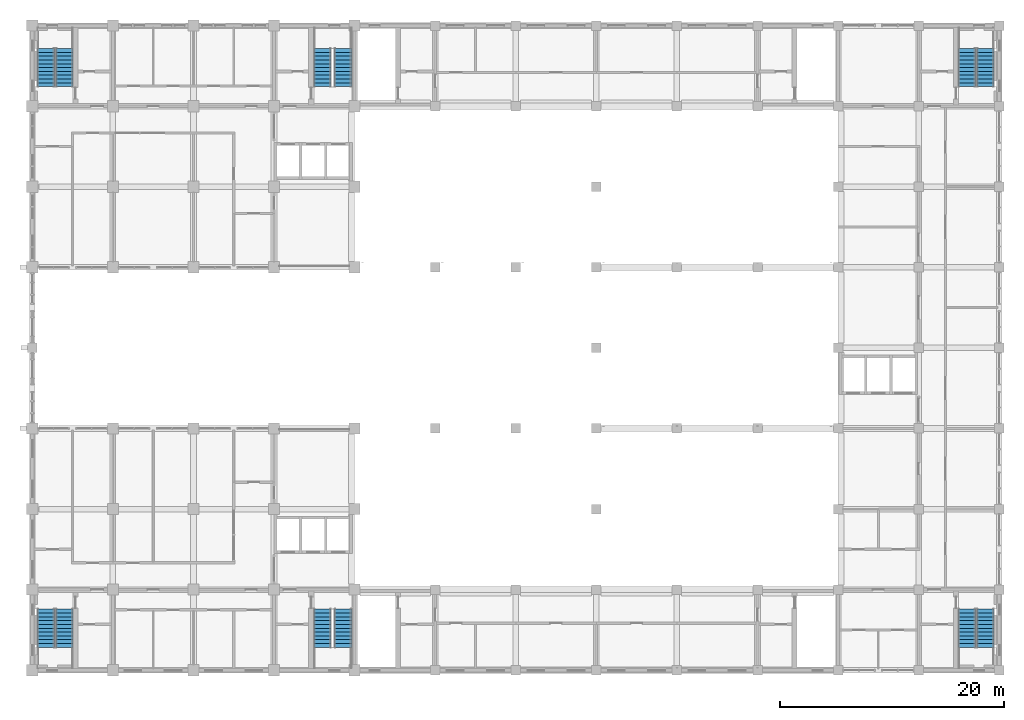
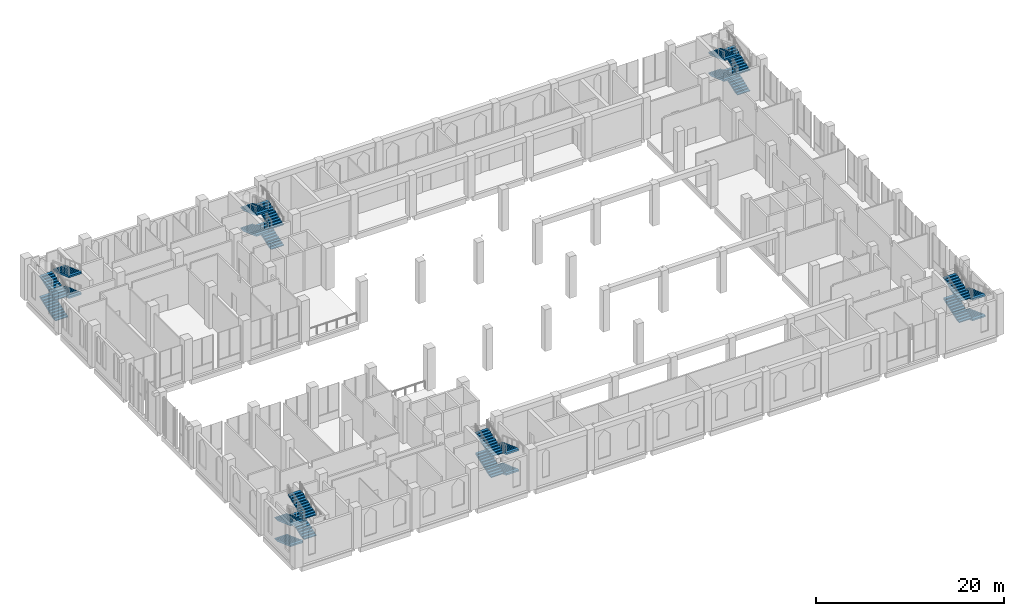
# One storey, part 36 of 48: 24 stair flights, 6 elements without a shape of their own.
"""IFC4 building model written with IfcOpenShell, lengths in metres."""

from ifc_helpers import new_model, si_unit, direction, frame, origin, place, context, subcontext, project, spatial, polyline, outline, extrude, material, type_object, element, aggregate, save


model = new_model("IFC4")

# Units and contexts
model_context = context("Model", 3, precision=1e-05, world=origin(), true_north=direction((0.0, 1.0)))
body_context = subcontext(model_context, "Body", "Model", "MODEL_VIEW")
ifc_project = project(units=[si_unit("LENGTHUNIT", "METRE"), si_unit("AREAUNIT", "SQUARE_METRE"), si_unit("VOLUMEUNIT", "CUBIC_METRE"), si_unit("PLANEANGLEUNIT", "RADIAN"), si_unit("MASSUNIT", "GRAM", prefix="KILO")], contexts=[model_context])

# Site, building, storey
site_placement = place(None, origin())
site = spatial("IfcSite", under=ifc_project, at=site_placement, CompositionType="ELEMENT")
building_placement = place(site_placement, origin())
building = spatial("IfcBuilding", under=site, at=building_placement, Name="Silangan Lancet Faculty of Sciences", CompositionType="ELEMENT")
storey_placement = place(building_placement, frame((0.0, 0.0, 6.0)))
storey = spatial("IfcBuildingStorey", under=building, at=storey_placement, Name="L01", CompositionType="ELEMENT", Elevation=6.0)

# Stair, stair flights
ifc_material_1 = material(Name="Concrete C40/50", Category="concrete")
stair_type = type_object("IfcStairType", Name="TURRET STAIR 1550 FOUR-FLIGHT", PredefinedType="DOUBLE_RETURN_STAIR", material=ifc_material_1)
stair_1_placement = place(storey_placement, origin())
stair_1 = element("IfcStair", 1, at=stair_1_placement, inside=storey, type_object=stair_type, Name="EB-A stair L01", PredefinedType="DOUBLE_RETURN_STAIR")
ifc_material_2 = material(Name="Concrete C40/50", Category="concrete")
stair_flight_type = type_object("IfcStairFlightType", Name="TURRET STAIR FLIGHT 1550", PredefinedType="STRAIGHT", material=ifc_material_2)
stair_flight_1_placement = place(storey_placement, frame((85.175048828125, 5.449951171875, 0.0), z_axis=(0.0, 0.0, 1.0), x_axis=(0.0, -1.0, 0.0)))
stair_flight_1 = element("IfcStairFlight", 2, at=stair_flight_1_placement, type_object=stair_flight_type, Name="STR9 flight 1", NumberOfRisers=11, NumberOfTreads=10, PredefinedType="STRAIGHT", RiserHeight=0.122727273, TreadLength=0.34, context=body_context, shape_type="SweptSolid", body=[
    extrude(outline(polyline([(0.0, 0.0), (0.0, 0.122802734375), (0.340087890625, 0.122802734375), (0.340087890625, 0.245361328125), (0.679931640625, 0.245361328125), (0.679931640625, 0.3681640625), (1.02001953125, 0.3681640625), (1.02001953125, 0.490966796875), (1.360107421875, 0.490966796875), (1.360107421875, 0.613525390625), (1.699951171875, 0.613525390625), (1.699951171875, 0.736328125), (2.0400390625, 0.736328125), (2.0400390625, 0.859130859375), (2.3798828125, 0.859130859375), (2.3798828125, 0.98193359375), (2.719970703125, 0.98193359375), (2.719970703125, 1.1044921875), (3.06005859375, 1.1044921875), (3.06005859375, 1.227294921875), (3.39990234375, 1.227294921875), (3.39990234375, 1.35009765625), (3.39990234375, 1.0146484375), (0.5888671875, 0.0), (0.0, 0.0)])), frame((0.0, 0.77490234375, 0.0), z_axis=(0.0, -1.0, 0.0), x_axis=(1.0, 0.0, 0.0)), (0.0, 0.0, 1.0), 1.550048828125),
])
stair_flight_2_placement = place(storey_placement, frame((83.52490234375, 2.050048828125, 1.35009765625), z_axis=(0.0, 0.0, 1.0), x_axis=(0.0, 1.0, 0.0)))
stair_flight_2 = element("IfcStairFlight", 3, at=stair_flight_2_placement, type_object=stair_flight_type, Name="STR9 flight 2", NumberOfRisers=11, NumberOfTreads=10, PredefinedType="STRAIGHT", RiserHeight=0.122727273, TreadLength=0.34, context=body_context, shape_type="SweptSolid", body=[
    extrude(outline(polyline([(0.0, 0.0), (0.0, 0.122802734375), (0.340087890625, 0.122802734375), (0.340087890625, 0.245361328125), (0.679931640625, 0.245361328125), (0.679931640625, 0.3681640625), (1.02001953125, 0.3681640625), (1.02001953125, 0.490966796875), (1.360107421875, 0.490966796875), (1.360107421875, 0.613525390625), (1.699951171875, 0.613525390625), (1.699951171875, 0.736328125), (2.0400390625, 0.736328125), (2.0400390625, 0.859130859375), (2.3798828125, 0.859130859375), (2.3798828125, 0.98193359375), (2.719970703125, 0.98193359375), (2.719970703125, 1.1044921875), (3.06005859375, 1.1044921875), (3.06005859375, 1.227294921875), (3.39990234375, 1.227294921875), (3.39990234375, 1.35009765625), (3.39990234375, 1.0146484375), (0.5888671875, 0.0), (0.0, 0.0)])), frame((0.0, 0.77490234375, 0.0), z_axis=(0.0, -1.0, 0.0), x_axis=(1.0, 0.0, 0.0)), (0.0, 0.0, 1.0), 1.550048828125),
])
stair_flight_3_placement = place(storey_placement, frame((85.175048828125, 5.449951171875, 2.699951171875), z_axis=(0.0, 0.0, 1.0), x_axis=(0.0, -1.0, 0.0)))
stair_flight_3 = element("IfcStairFlight", 4, at=stair_flight_3_placement, type_object=stair_flight_type, Name="STR9 flight 3", NumberOfRisers=11, NumberOfTreads=10, PredefinedType="STRAIGHT", RiserHeight=0.122727273, TreadLength=0.34, context=body_context, shape_type="SweptSolid", body=[
    extrude(outline(polyline([(0.0, 0.0), (0.0, 0.122802734375), (0.340087890625, 0.122802734375), (0.340087890625, 0.245361328125), (0.679931640625, 0.245361328125), (0.679931640625, 0.3681640625), (1.02001953125, 0.3681640625), (1.02001953125, 0.490966796875), (1.360107421875, 0.490966796875), (1.360107421875, 0.613525390625), (1.699951171875, 0.613525390625), (1.699951171875, 0.736328125), (2.0400390625, 0.736328125), (2.0400390625, 0.859130859375), (2.3798828125, 0.859130859375), (2.3798828125, 0.98193359375), (2.719970703125, 0.98193359375), (2.719970703125, 1.1044921875), (3.06005859375, 1.1044921875), (3.06005859375, 1.227294921875), (3.39990234375, 1.227294921875), (3.39990234375, 1.35009765625), (3.39990234375, 1.0146484375), (0.5888671875, 0.0), (0.0, 0.0)])), frame((0.0, 0.77490234375, 0.0), z_axis=(0.0, -1.0, 0.0), x_axis=(1.0, 0.0, 0.0)), (0.0, 0.0, 1.0), 1.550048828125),
])
stair_flight_4_placement = place(storey_placement, frame((83.52490234375, 2.050048828125, 4.050048828125), z_axis=(0.0, 0.0, 1.0), x_axis=(0.0, 1.0, 0.0)))
stair_flight_4 = element("IfcStairFlight", 5, at=stair_flight_4_placement, type_object=stair_flight_type, Name="STR9 flight 4", NumberOfRisers=11, NumberOfTreads=10, PredefinedType="STRAIGHT", RiserHeight=0.122727273, TreadLength=0.34, context=body_context, shape_type="SweptSolid", body=[
    extrude(outline(polyline([(0.0, 0.0), (0.0, 0.122802734375), (0.340087890625, 0.122802734375), (0.340087890625, 0.245361328125), (0.679931640625, 0.245361328125), (0.679931640625, 0.3681640625), (1.02001953125, 0.3681640625), (1.02001953125, 0.490966796875), (1.360107421875, 0.490966796875), (1.360107421875, 0.613525390625), (1.699951171875, 0.613525390625), (1.699951171875, 0.736328125), (2.0400390625, 0.736328125), (2.0400390625, 0.859130859375), (2.3798828125, 0.859130859375), (2.3798828125, 0.98193359375), (2.719970703125, 0.98193359375), (2.719970703125, 1.1044921875), (3.06005859375, 1.1044921875), (3.06005859375, 1.227294921875), (3.39990234375, 1.227294921875), (3.39990234375, 1.35009765625), (3.39990234375, 1.0146484375), (0.5888671875, 0.0), (0.0, 0.0)])), frame((0.0, 0.77490234375, 0.0), z_axis=(0.0, -1.0, 0.0), x_axis=(1.0, 0.0, 0.0)), (0.0, 0.0, 1.0), 1.550048828125),
])
aggregate(stair_1, [stair_flight_1, stair_flight_2, stair_flight_3, stair_flight_4])

stair_2_placement = place(storey_placement, origin())
stair_2 = element("IfcStair", 6, at=stair_2_placement, inside=storey, type_object=stair_type, Name="EB-B stair L01", PredefinedType="DOUBLE_RETURN_STAIR")
stair_flight_5_placement = place(storey_placement, frame((85.175048828125, 52.14990234375, 0.0), z_axis=(0.0, 0.0, 1.0), x_axis=(0.0, 1.0, 0.0)))
stair_flight_5 = element("IfcStairFlight", 7, at=stair_flight_5_placement, type_object=stair_flight_type, Name="STR10 flight 1", NumberOfRisers=11, NumberOfTreads=10, PredefinedType="STRAIGHT", RiserHeight=0.122727273, TreadLength=0.34, context=body_context, shape_type="SweptSolid", body=[
    extrude(outline(polyline([(0.0, 0.0), (0.0, 0.122802734375), (0.340087890625, 0.122802734375), (0.340087890625, 0.245361328125), (0.679931640625, 0.245361328125), (0.679931640625, 0.3681640625), (1.02001953125, 0.3681640625), (1.02001953125, 0.490966796875), (1.360107421875, 0.490966796875), (1.360107421875, 0.613525390625), (1.699951171875, 0.613525390625), (1.699951171875, 0.736328125), (2.0400390625, 0.736328125), (2.0400390625, 0.859130859375), (2.3798828125, 0.859130859375), (2.3798828125, 0.98193359375), (2.719970703125, 0.98193359375), (2.719970703125, 1.1044921875), (3.06005859375, 1.1044921875), (3.06005859375, 1.227294921875), (3.39990234375, 1.227294921875), (3.39990234375, 1.35009765625), (3.39990234375, 1.0146484375), (0.5888671875, 0.0), (0.0, 0.0)])), frame((0.0, 0.77490234375, 0.0), z_axis=(0.0, -1.0, 0.0), x_axis=(1.0, 0.0, 0.0)), (0.0, 0.0, 1.0), 1.550048828125),
])
stair_flight_6_placement = place(storey_placement, frame((83.52490234375, 55.550048828125, 1.35009765625), z_axis=(0.0, 0.0, 1.0), x_axis=(0.0, -1.0, 0.0)))
stair_flight_6 = element("IfcStairFlight", 8, at=stair_flight_6_placement, type_object=stair_flight_type, Name="STR10 flight 2", NumberOfRisers=11, NumberOfTreads=10, PredefinedType="STRAIGHT", RiserHeight=0.122727273, TreadLength=0.34, context=body_context, shape_type="SweptSolid", body=[
    extrude(outline(polyline([(0.0, 0.0), (0.0, 0.122802734375), (0.340087890625, 0.122802734375), (0.340087890625, 0.245361328125), (0.679931640625, 0.245361328125), (0.679931640625, 0.3681640625), (1.02001953125, 0.3681640625), (1.02001953125, 0.490966796875), (1.360107421875, 0.490966796875), (1.360107421875, 0.613525390625), (1.699951171875, 0.613525390625), (1.699951171875, 0.736328125), (2.0400390625, 0.736328125), (2.0400390625, 0.859130859375), (2.3798828125, 0.859130859375), (2.3798828125, 0.98193359375), (2.719970703125, 0.98193359375), (2.719970703125, 1.1044921875), (3.06005859375, 1.1044921875), (3.06005859375, 1.227294921875), (3.39990234375, 1.227294921875), (3.39990234375, 1.35009765625), (3.39990234375, 1.0146484375), (0.5888671875, 0.0), (0.0, 0.0)])), frame((0.0, 0.77490234375, 0.0), z_axis=(0.0, -1.0, 0.0), x_axis=(1.0, 0.0, 0.0)), (0.0, 0.0, 1.0), 1.550048828125),
])
stair_flight_7_placement = place(storey_placement, frame((85.175048828125, 52.14990234375, 2.699951171875), z_axis=(0.0, 0.0, 1.0), x_axis=(0.0, 1.0, 0.0)))
stair_flight_7 = element("IfcStairFlight", 9, at=stair_flight_7_placement, type_object=stair_flight_type, Name="STR10 flight 3", NumberOfRisers=11, NumberOfTreads=10, PredefinedType="STRAIGHT", RiserHeight=0.122727273, TreadLength=0.34, context=body_context, shape_type="SweptSolid", body=[
    extrude(outline(polyline([(0.0, 0.0), (0.0, 0.122802734375), (0.340087890625, 0.122802734375), (0.340087890625, 0.245361328125), (0.679931640625, 0.245361328125), (0.679931640625, 0.3681640625), (1.02001953125, 0.3681640625), (1.02001953125, 0.490966796875), (1.360107421875, 0.490966796875), (1.360107421875, 0.613525390625), (1.699951171875, 0.613525390625), (1.699951171875, 0.736328125), (2.0400390625, 0.736328125), (2.0400390625, 0.859130859375), (2.3798828125, 0.859130859375), (2.3798828125, 0.98193359375), (2.719970703125, 0.98193359375), (2.719970703125, 1.1044921875), (3.06005859375, 1.1044921875), (3.06005859375, 1.227294921875), (3.39990234375, 1.227294921875), (3.39990234375, 1.35009765625), (3.39990234375, 1.0146484375), (0.5888671875, 0.0), (0.0, 0.0)])), frame((0.0, 0.77490234375, 0.0), z_axis=(0.0, -1.0, 0.0), x_axis=(1.0, 0.0, 0.0)), (0.0, 0.0, 1.0), 1.550048828125),
])
stair_flight_8_placement = place(storey_placement, frame((83.52490234375, 55.550048828125, 4.050048828125), z_axis=(0.0, 0.0, 1.0), x_axis=(0.0, -1.0, 0.0)))
stair_flight_8 = element("IfcStairFlight", 10, at=stair_flight_8_placement, type_object=stair_flight_type, Name="STR10 flight 4", NumberOfRisers=11, NumberOfTreads=10, PredefinedType="STRAIGHT", RiserHeight=0.122727273, TreadLength=0.34, context=body_context, shape_type="SweptSolid", body=[
    extrude(outline(polyline([(0.0, 0.0), (0.0, 0.122802734375), (0.340087890625, 0.122802734375), (0.340087890625, 0.245361328125), (0.679931640625, 0.245361328125), (0.679931640625, 0.3681640625), (1.02001953125, 0.3681640625), (1.02001953125, 0.490966796875), (1.360107421875, 0.490966796875), (1.360107421875, 0.613525390625), (1.699951171875, 0.613525390625), (1.699951171875, 0.736328125), (2.0400390625, 0.736328125), (2.0400390625, 0.859130859375), (2.3798828125, 0.859130859375), (2.3798828125, 0.98193359375), (2.719970703125, 0.98193359375), (2.719970703125, 1.1044921875), (3.06005859375, 1.1044921875), (3.06005859375, 1.227294921875), (3.39990234375, 1.227294921875), (3.39990234375, 1.35009765625), (3.39990234375, 1.0146484375), (0.5888671875, 0.0), (0.0, 0.0)])), frame((0.0, 0.77490234375, 0.0), z_axis=(0.0, -1.0, 0.0), x_axis=(1.0, 0.0, 0.0)), (0.0, 0.0, 1.0), 1.550048828125),
])
aggregate(stair_2, [stair_flight_5, stair_flight_6, stair_flight_7, stair_flight_8])

stair_3_placement = place(storey_placement, origin())
stair_3 = element("IfcStair", 11, at=stair_3_placement, inside=storey, type_object=stair_type, Name="NT-A stair L01", PredefinedType="DOUBLE_RETURN_STAIR")
stair_flight_9_placement = place(storey_placement, frame((1.22509765625, 52.14990234375, 0.0), z_axis=(0.0, 0.0, 1.0), x_axis=(0.0, 1.0, 0.0)))
stair_flight_9 = element("IfcStairFlight", 12, at=stair_flight_9_placement, type_object=stair_flight_type, Name="STR3 flight 1", NumberOfRisers=11, NumberOfTreads=10, PredefinedType="STRAIGHT", RiserHeight=0.122727273, TreadLength=0.34, context=body_context, shape_type="SweptSolid", body=[
    extrude(outline(polyline([(0.0, 0.0), (0.0, 0.122802734375), (0.340087890625, 0.122802734375), (0.340087890625, 0.245361328125), (0.679931640625, 0.245361328125), (0.679931640625, 0.3681640625), (1.02001953125, 0.3681640625), (1.02001953125, 0.490966796875), (1.360107421875, 0.490966796875), (1.360107421875, 0.613525390625), (1.699951171875, 0.613525390625), (1.699951171875, 0.736328125), (2.0400390625, 0.736328125), (2.0400390625, 0.859130859375), (2.3798828125, 0.859130859375), (2.3798828125, 0.98193359375), (2.719970703125, 0.98193359375), (2.719970703125, 1.1044921875), (3.06005859375, 1.1044921875), (3.06005859375, 1.227294921875), (3.39990234375, 1.227294921875), (3.39990234375, 1.35009765625), (3.39990234375, 1.0146484375), (0.5888671875, 0.0), (0.0, 0.0)])), frame((0.0, 0.77490234375, 0.0), z_axis=(0.0, -1.0, 0.0), x_axis=(1.0, 0.0, 0.0)), (0.0, 0.0, 1.0), 1.550048828125),
])
stair_flight_10_placement = place(storey_placement, frame((2.875, 55.550048828125, 1.35009765625), z_axis=(0.0, 0.0, 1.0), x_axis=(0.0, -1.0, 0.0)))
stair_flight_10 = element("IfcStairFlight", 13, at=stair_flight_10_placement, type_object=stair_flight_type, Name="STR3 flight 2", NumberOfRisers=11, NumberOfTreads=10, PredefinedType="STRAIGHT", RiserHeight=0.122727273, TreadLength=0.34, context=body_context, shape_type="SweptSolid", body=[
    extrude(outline(polyline([(0.0, 0.0), (0.0, 0.122802734375), (0.340087890625, 0.122802734375), (0.340087890625, 0.245361328125), (0.679931640625, 0.245361328125), (0.679931640625, 0.3681640625), (1.02001953125, 0.3681640625), (1.02001953125, 0.490966796875), (1.360107421875, 0.490966796875), (1.360107421875, 0.613525390625), (1.699951171875, 0.613525390625), (1.699951171875, 0.736328125), (2.0400390625, 0.736328125), (2.0400390625, 0.859130859375), (2.3798828125, 0.859130859375), (2.3798828125, 0.98193359375), (2.719970703125, 0.98193359375), (2.719970703125, 1.1044921875), (3.06005859375, 1.1044921875), (3.06005859375, 1.227294921875), (3.39990234375, 1.227294921875), (3.39990234375, 1.35009765625), (3.39990234375, 1.0146484375), (0.5888671875, 0.0), (0.0, 0.0)])), frame((0.0, 0.77490234375, 0.0), z_axis=(0.0, -1.0, 0.0), x_axis=(1.0, 0.0, 0.0)), (0.0, 0.0, 1.0), 1.550048828125),
])
stair_flight_11_placement = place(storey_placement, frame((1.22509765625, 52.14990234375, 2.699951171875), z_axis=(0.0, 0.0, 1.0), x_axis=(0.0, 1.0, 0.0)))
stair_flight_11 = element("IfcStairFlight", 14, at=stair_flight_11_placement, type_object=stair_flight_type, Name="STR3 flight 3", NumberOfRisers=11, NumberOfTreads=10, PredefinedType="STRAIGHT", RiserHeight=0.122727273, TreadLength=0.34, context=body_context, shape_type="SweptSolid", body=[
    extrude(outline(polyline([(0.0, 0.0), (0.0, 0.122802734375), (0.340087890625, 0.122802734375), (0.340087890625, 0.245361328125), (0.679931640625, 0.245361328125), (0.679931640625, 0.3681640625), (1.02001953125, 0.3681640625), (1.02001953125, 0.490966796875), (1.360107421875, 0.490966796875), (1.360107421875, 0.613525390625), (1.699951171875, 0.613525390625), (1.699951171875, 0.736328125), (2.0400390625, 0.736328125), (2.0400390625, 0.859130859375), (2.3798828125, 0.859130859375), (2.3798828125, 0.98193359375), (2.719970703125, 0.98193359375), (2.719970703125, 1.1044921875), (3.06005859375, 1.1044921875), (3.06005859375, 1.227294921875), (3.39990234375, 1.227294921875), (3.39990234375, 1.35009765625), (3.39990234375, 1.0146484375), (0.5888671875, 0.0), (0.0, 0.0)])), frame((0.0, 0.77490234375, 0.0), z_axis=(0.0, -1.0, 0.0), x_axis=(1.0, 0.0, 0.0)), (0.0, 0.0, 1.0), 1.550048828125),
])
stair_flight_12_placement = place(storey_placement, frame((2.875, 55.550048828125, 4.050048828125), z_axis=(0.0, 0.0, 1.0), x_axis=(0.0, -1.0, 0.0)))
stair_flight_12 = element("IfcStairFlight", 15, at=stair_flight_12_placement, type_object=stair_flight_type, Name="STR3 flight 4", NumberOfRisers=11, NumberOfTreads=10, PredefinedType="STRAIGHT", RiserHeight=0.122727273, TreadLength=0.34, context=body_context, shape_type="SweptSolid", body=[
    extrude(outline(polyline([(0.0, 0.0), (0.0, 0.122802734375), (0.340087890625, 0.122802734375), (0.340087890625, 0.245361328125), (0.679931640625, 0.245361328125), (0.679931640625, 0.3681640625), (1.02001953125, 0.3681640625), (1.02001953125, 0.490966796875), (1.360107421875, 0.490966796875), (1.360107421875, 0.613525390625), (1.699951171875, 0.613525390625), (1.699951171875, 0.736328125), (2.0400390625, 0.736328125), (2.0400390625, 0.859130859375), (2.3798828125, 0.859130859375), (2.3798828125, 0.98193359375), (2.719970703125, 0.98193359375), (2.719970703125, 1.1044921875), (3.06005859375, 1.1044921875), (3.06005859375, 1.227294921875), (3.39990234375, 1.227294921875), (3.39990234375, 1.35009765625), (3.39990234375, 1.0146484375), (0.5888671875, 0.0), (0.0, 0.0)])), frame((0.0, 0.77490234375, 0.0), z_axis=(0.0, -1.0, 0.0), x_axis=(1.0, 0.0, 0.0)), (0.0, 0.0, 1.0), 1.550048828125),
])
aggregate(stair_3, [stair_flight_9, stair_flight_10, stair_flight_11, stair_flight_12])

stair_4_placement = place(storey_placement, origin())
stair_4 = element("IfcStair", 16, at=stair_4_placement, inside=storey, type_object=stair_type, Name="NT-B stair L01", PredefinedType="DOUBLE_RETURN_STAIR")
stair_flight_13_placement = place(storey_placement, frame((27.77490234375, 52.14990234375, 0.0), z_axis=(0.0, 0.0, 1.0), x_axis=(0.0, 1.0, 0.0)))
stair_flight_13 = element("IfcStairFlight", 17, at=stair_flight_13_placement, type_object=stair_flight_type, Name="STR4 flight 1", NumberOfRisers=11, NumberOfTreads=10, PredefinedType="STRAIGHT", RiserHeight=0.122727273, TreadLength=0.34, context=body_context, shape_type="SweptSolid", body=[
    extrude(outline(polyline([(0.0, 0.0), (0.0, 0.122802734375), (0.340087890625, 0.122802734375), (0.340087890625, 0.245361328125), (0.679931640625, 0.245361328125), (0.679931640625, 0.3681640625), (1.02001953125, 0.3681640625), (1.02001953125, 0.490966796875), (1.360107421875, 0.490966796875), (1.360107421875, 0.613525390625), (1.699951171875, 0.613525390625), (1.699951171875, 0.736328125), (2.0400390625, 0.736328125), (2.0400390625, 0.859130859375), (2.3798828125, 0.859130859375), (2.3798828125, 0.98193359375), (2.719970703125, 0.98193359375), (2.719970703125, 1.1044921875), (3.06005859375, 1.1044921875), (3.06005859375, 1.227294921875), (3.39990234375, 1.227294921875), (3.39990234375, 1.35009765625), (3.39990234375, 1.0146484375), (0.5888671875, 0.0), (0.0, 0.0)])), frame((0.0, 0.77490234375, 0.0), z_axis=(0.0, -1.0, 0.0), x_axis=(1.0, 0.0, 0.0)), (0.0, 0.0, 1.0), 1.550048828125),
])
stair_flight_14_placement = place(storey_placement, frame((25.925048828125, 55.550048828125, 1.35009765625), z_axis=(0.0, 0.0, 1.0), x_axis=(0.0, -1.0, 0.0)))
stair_flight_14 = element("IfcStairFlight", 18, at=stair_flight_14_placement, type_object=stair_flight_type, Name="STR4 flight 2", NumberOfRisers=11, NumberOfTreads=10, PredefinedType="STRAIGHT", RiserHeight=0.122727273, TreadLength=0.34, context=body_context, shape_type="SweptSolid", body=[
    extrude(outline(polyline([(0.0, 0.0), (0.0, 0.122802734375), (0.340087890625, 0.122802734375), (0.340087890625, 0.245361328125), (0.679931640625, 0.245361328125), (0.679931640625, 0.3681640625), (1.02001953125, 0.3681640625), (1.02001953125, 0.490966796875), (1.360107421875, 0.490966796875), (1.360107421875, 0.613525390625), (1.699951171875, 0.613525390625), (1.699951171875, 0.736328125), (2.0400390625, 0.736328125), (2.0400390625, 0.859130859375), (2.3798828125, 0.859130859375), (2.3798828125, 0.98193359375), (2.719970703125, 0.98193359375), (2.719970703125, 1.1044921875), (3.06005859375, 1.1044921875), (3.06005859375, 1.227294921875), (3.39990234375, 1.227294921875), (3.39990234375, 1.35009765625), (3.39990234375, 1.0146484375), (0.5888671875, 0.0), (0.0, 0.0)])), frame((0.0, 0.77490234375, 0.0), z_axis=(0.0, -1.0, 0.0), x_axis=(1.0, 0.0, 0.0)), (0.0, 0.0, 1.0), 1.550048828125),
])
stair_flight_15_placement = place(storey_placement, frame((27.77490234375, 52.14990234375, 2.699951171875), z_axis=(0.0, 0.0, 1.0), x_axis=(0.0, 1.0, 0.0)))
stair_flight_15 = element("IfcStairFlight", 19, at=stair_flight_15_placement, type_object=stair_flight_type, Name="STR4 flight 3", NumberOfRisers=11, NumberOfTreads=10, PredefinedType="STRAIGHT", RiserHeight=0.122727273, TreadLength=0.34, context=body_context, shape_type="SweptSolid", body=[
    extrude(outline(polyline([(0.0, 0.0), (0.0, 0.122802734375), (0.340087890625, 0.122802734375), (0.340087890625, 0.245361328125), (0.679931640625, 0.245361328125), (0.679931640625, 0.3681640625), (1.02001953125, 0.3681640625), (1.02001953125, 0.490966796875), (1.360107421875, 0.490966796875), (1.360107421875, 0.613525390625), (1.699951171875, 0.613525390625), (1.699951171875, 0.736328125), (2.0400390625, 0.736328125), (2.0400390625, 0.859130859375), (2.3798828125, 0.859130859375), (2.3798828125, 0.98193359375), (2.719970703125, 0.98193359375), (2.719970703125, 1.1044921875), (3.06005859375, 1.1044921875), (3.06005859375, 1.227294921875), (3.39990234375, 1.227294921875), (3.39990234375, 1.35009765625), (3.39990234375, 1.0146484375), (0.5888671875, 0.0), (0.0, 0.0)])), frame((0.0, 0.77490234375, 0.0), z_axis=(0.0, -1.0, 0.0), x_axis=(1.0, 0.0, 0.0)), (0.0, 0.0, 1.0), 1.550048828125),
])
stair_flight_16_placement = place(storey_placement, frame((25.925048828125, 55.550048828125, 4.050048828125), z_axis=(0.0, 0.0, 1.0), x_axis=(0.0, -1.0, 0.0)))
stair_flight_16 = element("IfcStairFlight", 20, at=stair_flight_16_placement, type_object=stair_flight_type, Name="STR4 flight 4", NumberOfRisers=11, NumberOfTreads=10, PredefinedType="STRAIGHT", RiserHeight=0.122727273, TreadLength=0.34, context=body_context, shape_type="SweptSolid", body=[
    extrude(outline(polyline([(0.0, 0.0), (0.0, 0.122802734375), (0.340087890625, 0.122802734375), (0.340087890625, 0.245361328125), (0.679931640625, 0.245361328125), (0.679931640625, 0.3681640625), (1.02001953125, 0.3681640625), (1.02001953125, 0.490966796875), (1.360107421875, 0.490966796875), (1.360107421875, 0.613525390625), (1.699951171875, 0.613525390625), (1.699951171875, 0.736328125), (2.0400390625, 0.736328125), (2.0400390625, 0.859130859375), (2.3798828125, 0.859130859375), (2.3798828125, 0.98193359375), (2.719970703125, 0.98193359375), (2.719970703125, 1.1044921875), (3.06005859375, 1.1044921875), (3.06005859375, 1.227294921875), (3.39990234375, 1.227294921875), (3.39990234375, 1.35009765625), (3.39990234375, 1.0146484375), (0.5888671875, 0.0), (0.0, 0.0)])), frame((0.0, 0.77490234375, 0.0), z_axis=(0.0, -1.0, 0.0), x_axis=(1.0, 0.0, 0.0)), (0.0, 0.0, 1.0), 1.550048828125),
])
aggregate(stair_4, [stair_flight_13, stair_flight_14, stair_flight_15, stair_flight_16])

stair_5_placement = place(storey_placement, origin())
stair_5 = element("IfcStair", 21, at=stair_5_placement, inside=storey, type_object=stair_type, Name="ST-A stair L01", PredefinedType="DOUBLE_RETURN_STAIR")
stair_flight_17_placement = place(storey_placement, frame((1.22509765625, 5.449951171875, 0.0), z_axis=(0.0, 0.0, 1.0), x_axis=(0.0, -1.0, 0.0)))
stair_flight_17 = element("IfcStairFlight", 22, at=stair_flight_17_placement, type_object=stair_flight_type, Name="STR1 flight 1", NumberOfRisers=11, NumberOfTreads=10, PredefinedType="STRAIGHT", RiserHeight=0.122727273, TreadLength=0.34, context=body_context, shape_type="SweptSolid", body=[
    extrude(outline(polyline([(0.0, 0.0), (0.0, 0.122802734375), (0.340087890625, 0.122802734375), (0.340087890625, 0.245361328125), (0.679931640625, 0.245361328125), (0.679931640625, 0.3681640625), (1.02001953125, 0.3681640625), (1.02001953125, 0.490966796875), (1.360107421875, 0.490966796875), (1.360107421875, 0.613525390625), (1.699951171875, 0.613525390625), (1.699951171875, 0.736328125), (2.0400390625, 0.736328125), (2.0400390625, 0.859130859375), (2.3798828125, 0.859130859375), (2.3798828125, 0.98193359375), (2.719970703125, 0.98193359375), (2.719970703125, 1.1044921875), (3.06005859375, 1.1044921875), (3.06005859375, 1.227294921875), (3.39990234375, 1.227294921875), (3.39990234375, 1.35009765625), (3.39990234375, 1.0146484375), (0.5888671875, 0.0), (0.0, 0.0)])), frame((0.0, 0.77490234375, 0.0), z_axis=(0.0, -1.0, 0.0), x_axis=(1.0, 0.0, 0.0)), (0.0, 0.0, 1.0), 1.550048828125),
])
stair_flight_18_placement = place(storey_placement, frame((2.875, 2.050048828125, 1.35009765625), z_axis=(0.0, 0.0, 1.0), x_axis=(0.0, 1.0, 0.0)))
stair_flight_18 = element("IfcStairFlight", 23, at=stair_flight_18_placement, type_object=stair_flight_type, Name="STR1 flight 2", NumberOfRisers=11, NumberOfTreads=10, PredefinedType="STRAIGHT", RiserHeight=0.122727273, TreadLength=0.34, context=body_context, shape_type="SweptSolid", body=[
    extrude(outline(polyline([(0.0, 0.0), (0.0, 0.122802734375), (0.340087890625, 0.122802734375), (0.340087890625, 0.245361328125), (0.679931640625, 0.245361328125), (0.679931640625, 0.3681640625), (1.02001953125, 0.3681640625), (1.02001953125, 0.490966796875), (1.360107421875, 0.490966796875), (1.360107421875, 0.613525390625), (1.699951171875, 0.613525390625), (1.699951171875, 0.736328125), (2.0400390625, 0.736328125), (2.0400390625, 0.859130859375), (2.3798828125, 0.859130859375), (2.3798828125, 0.98193359375), (2.719970703125, 0.98193359375), (2.719970703125, 1.1044921875), (3.06005859375, 1.1044921875), (3.06005859375, 1.227294921875), (3.39990234375, 1.227294921875), (3.39990234375, 1.35009765625), (3.39990234375, 1.0146484375), (0.5888671875, 0.0), (0.0, 0.0)])), frame((0.0, 0.77490234375, 0.0), z_axis=(0.0, -1.0, 0.0), x_axis=(1.0, 0.0, 0.0)), (0.0, 0.0, 1.0), 1.550048828125),
])
stair_flight_19_placement = place(storey_placement, frame((1.22509765625, 5.449951171875, 2.699951171875), z_axis=(0.0, 0.0, 1.0), x_axis=(0.0, -1.0, 0.0)))
stair_flight_19 = element("IfcStairFlight", 24, at=stair_flight_19_placement, type_object=stair_flight_type, Name="STR1 flight 3", NumberOfRisers=11, NumberOfTreads=10, PredefinedType="STRAIGHT", RiserHeight=0.122727273, TreadLength=0.34, context=body_context, shape_type="SweptSolid", body=[
    extrude(outline(polyline([(0.0, 0.0), (0.0, 0.122802734375), (0.340087890625, 0.122802734375), (0.340087890625, 0.245361328125), (0.679931640625, 0.245361328125), (0.679931640625, 0.3681640625), (1.02001953125, 0.3681640625), (1.02001953125, 0.490966796875), (1.360107421875, 0.490966796875), (1.360107421875, 0.613525390625), (1.699951171875, 0.613525390625), (1.699951171875, 0.736328125), (2.0400390625, 0.736328125), (2.0400390625, 0.859130859375), (2.3798828125, 0.859130859375), (2.3798828125, 0.98193359375), (2.719970703125, 0.98193359375), (2.719970703125, 1.1044921875), (3.06005859375, 1.1044921875), (3.06005859375, 1.227294921875), (3.39990234375, 1.227294921875), (3.39990234375, 1.35009765625), (3.39990234375, 1.0146484375), (0.5888671875, 0.0), (0.0, 0.0)])), frame((0.0, 0.77490234375, 0.0), z_axis=(0.0, -1.0, 0.0), x_axis=(1.0, 0.0, 0.0)), (0.0, 0.0, 1.0), 1.550048828125),
])
stair_flight_20_placement = place(storey_placement, frame((2.875, 2.050048828125, 4.050048828125), z_axis=(0.0, 0.0, 1.0), x_axis=(0.0, 1.0, 0.0)))
stair_flight_20 = element("IfcStairFlight", 25, at=stair_flight_20_placement, type_object=stair_flight_type, Name="STR1 flight 4", NumberOfRisers=11, NumberOfTreads=10, PredefinedType="STRAIGHT", RiserHeight=0.122727273, TreadLength=0.34, context=body_context, shape_type="SweptSolid", body=[
    extrude(outline(polyline([(0.0, 0.0), (0.0, 0.122802734375), (0.340087890625, 0.122802734375), (0.340087890625, 0.245361328125), (0.679931640625, 0.245361328125), (0.679931640625, 0.3681640625), (1.02001953125, 0.3681640625), (1.02001953125, 0.490966796875), (1.360107421875, 0.490966796875), (1.360107421875, 0.613525390625), (1.699951171875, 0.613525390625), (1.699951171875, 0.736328125), (2.0400390625, 0.736328125), (2.0400390625, 0.859130859375), (2.3798828125, 0.859130859375), (2.3798828125, 0.98193359375), (2.719970703125, 0.98193359375), (2.719970703125, 1.1044921875), (3.06005859375, 1.1044921875), (3.06005859375, 1.227294921875), (3.39990234375, 1.227294921875), (3.39990234375, 1.35009765625), (3.39990234375, 1.0146484375), (0.5888671875, 0.0), (0.0, 0.0)])), frame((0.0, 0.77490234375, 0.0), z_axis=(0.0, -1.0, 0.0), x_axis=(1.0, 0.0, 0.0)), (0.0, 0.0, 1.0), 1.550048828125),
])
aggregate(stair_5, [stair_flight_17, stair_flight_18, stair_flight_19, stair_flight_20])

stair_6_placement = place(storey_placement, origin())
stair_6 = element("IfcStair", 26, at=stair_6_placement, inside=storey, type_object=stair_type, Name="ST-B stair L01", PredefinedType="DOUBLE_RETURN_STAIR")
stair_flight_21_placement = place(storey_placement, frame((27.77490234375, 5.449951171875, 0.0), z_axis=(0.0, 0.0, 1.0), x_axis=(0.0, -1.0, 0.0)))
stair_flight_21 = element("IfcStairFlight", 27, at=stair_flight_21_placement, type_object=stair_flight_type, Name="STR2 flight 1", NumberOfRisers=11, NumberOfTreads=10, PredefinedType="STRAIGHT", RiserHeight=0.122727273, TreadLength=0.34, context=body_context, shape_type="SweptSolid", body=[
    extrude(outline(polyline([(0.0, 0.0), (0.0, 0.122802734375), (0.340087890625, 0.122802734375), (0.340087890625, 0.245361328125), (0.679931640625, 0.245361328125), (0.679931640625, 0.3681640625), (1.02001953125, 0.3681640625), (1.02001953125, 0.490966796875), (1.360107421875, 0.490966796875), (1.360107421875, 0.613525390625), (1.699951171875, 0.613525390625), (1.699951171875, 0.736328125), (2.0400390625, 0.736328125), (2.0400390625, 0.859130859375), (2.3798828125, 0.859130859375), (2.3798828125, 0.98193359375), (2.719970703125, 0.98193359375), (2.719970703125, 1.1044921875), (3.06005859375, 1.1044921875), (3.06005859375, 1.227294921875), (3.39990234375, 1.227294921875), (3.39990234375, 1.35009765625), (3.39990234375, 1.0146484375), (0.5888671875, 0.0), (0.0, 0.0)])), frame((0.0, 0.77490234375, 0.0), z_axis=(0.0, -1.0, 0.0), x_axis=(1.0, 0.0, 0.0)), (0.0, 0.0, 1.0), 1.550048828125),
])
stair_flight_22_placement = place(storey_placement, frame((25.925048828125, 2.050048828125, 1.35009765625), z_axis=(0.0, 0.0, 1.0), x_axis=(0.0, 1.0, 0.0)))
stair_flight_22 = element("IfcStairFlight", 28, at=stair_flight_22_placement, type_object=stair_flight_type, Name="STR2 flight 2", NumberOfRisers=11, NumberOfTreads=10, PredefinedType="STRAIGHT", RiserHeight=0.122727273, TreadLength=0.34, context=body_context, shape_type="SweptSolid", body=[
    extrude(outline(polyline([(0.0, 0.0), (0.0, 0.122802734375), (0.340087890625, 0.122802734375), (0.340087890625, 0.245361328125), (0.679931640625, 0.245361328125), (0.679931640625, 0.3681640625), (1.02001953125, 0.3681640625), (1.02001953125, 0.490966796875), (1.360107421875, 0.490966796875), (1.360107421875, 0.613525390625), (1.699951171875, 0.613525390625), (1.699951171875, 0.736328125), (2.0400390625, 0.736328125), (2.0400390625, 0.859130859375), (2.3798828125, 0.859130859375), (2.3798828125, 0.98193359375), (2.719970703125, 0.98193359375), (2.719970703125, 1.1044921875), (3.06005859375, 1.1044921875), (3.06005859375, 1.227294921875), (3.39990234375, 1.227294921875), (3.39990234375, 1.35009765625), (3.39990234375, 1.0146484375), (0.5888671875, 0.0), (0.0, 0.0)])), frame((0.0, 0.77490234375, 0.0), z_axis=(0.0, -1.0, 0.0), x_axis=(1.0, 0.0, 0.0)), (0.0, 0.0, 1.0), 1.550048828125),
])
stair_flight_23_placement = place(storey_placement, frame((27.77490234375, 5.449951171875, 2.699951171875), z_axis=(0.0, 0.0, 1.0), x_axis=(0.0, -1.0, 0.0)))
stair_flight_23 = element("IfcStairFlight", 29, at=stair_flight_23_placement, type_object=stair_flight_type, Name="STR2 flight 3", NumberOfRisers=11, NumberOfTreads=10, PredefinedType="STRAIGHT", RiserHeight=0.122727273, TreadLength=0.34, context=body_context, shape_type="SweptSolid", body=[
    extrude(outline(polyline([(0.0, 0.0), (0.0, 0.122802734375), (0.340087890625, 0.122802734375), (0.340087890625, 0.245361328125), (0.679931640625, 0.245361328125), (0.679931640625, 0.3681640625), (1.02001953125, 0.3681640625), (1.02001953125, 0.490966796875), (1.360107421875, 0.490966796875), (1.360107421875, 0.613525390625), (1.699951171875, 0.613525390625), (1.699951171875, 0.736328125), (2.0400390625, 0.736328125), (2.0400390625, 0.859130859375), (2.3798828125, 0.859130859375), (2.3798828125, 0.98193359375), (2.719970703125, 0.98193359375), (2.719970703125, 1.1044921875), (3.06005859375, 1.1044921875), (3.06005859375, 1.227294921875), (3.39990234375, 1.227294921875), (3.39990234375, 1.35009765625), (3.39990234375, 1.0146484375), (0.5888671875, 0.0), (0.0, 0.0)])), frame((0.0, 0.77490234375, 0.0), z_axis=(0.0, -1.0, 0.0), x_axis=(1.0, 0.0, 0.0)), (0.0, 0.0, 1.0), 1.550048828125),
])
stair_flight_24_placement = place(storey_placement, frame((25.925048828125, 2.050048828125, 4.050048828125), z_axis=(0.0, 0.0, 1.0), x_axis=(0.0, 1.0, 0.0)))
stair_flight_24 = element("IfcStairFlight", 30, at=stair_flight_24_placement, type_object=stair_flight_type, Name="STR2 flight 4", NumberOfRisers=11, NumberOfTreads=10, PredefinedType="STRAIGHT", RiserHeight=0.122727273, TreadLength=0.34, context=body_context, shape_type="SweptSolid", body=[
    extrude(outline(polyline([(0.0, 0.0), (0.0, 0.122802734375), (0.340087890625, 0.122802734375), (0.340087890625, 0.245361328125), (0.679931640625, 0.245361328125), (0.679931640625, 0.3681640625), (1.02001953125, 0.3681640625), (1.02001953125, 0.490966796875), (1.360107421875, 0.490966796875), (1.360107421875, 0.613525390625), (1.699951171875, 0.613525390625), (1.699951171875, 0.736328125), (2.0400390625, 0.736328125), (2.0400390625, 0.859130859375), (2.3798828125, 0.859130859375), (2.3798828125, 0.98193359375), (2.719970703125, 0.98193359375), (2.719970703125, 1.1044921875), (3.06005859375, 1.1044921875), (3.06005859375, 1.227294921875), (3.39990234375, 1.227294921875), (3.39990234375, 1.35009765625), (3.39990234375, 1.0146484375), (0.5888671875, 0.0), (0.0, 0.0)])), frame((0.0, 0.77490234375, 0.0), z_axis=(0.0, -1.0, 0.0), x_axis=(1.0, 0.0, 0.0)), (0.0, 0.0, 1.0), 1.550048828125),
])
aggregate(stair_6, [stair_flight_21, stair_flight_22, stair_flight_23, stair_flight_24])

save(model, "model.ifc")
